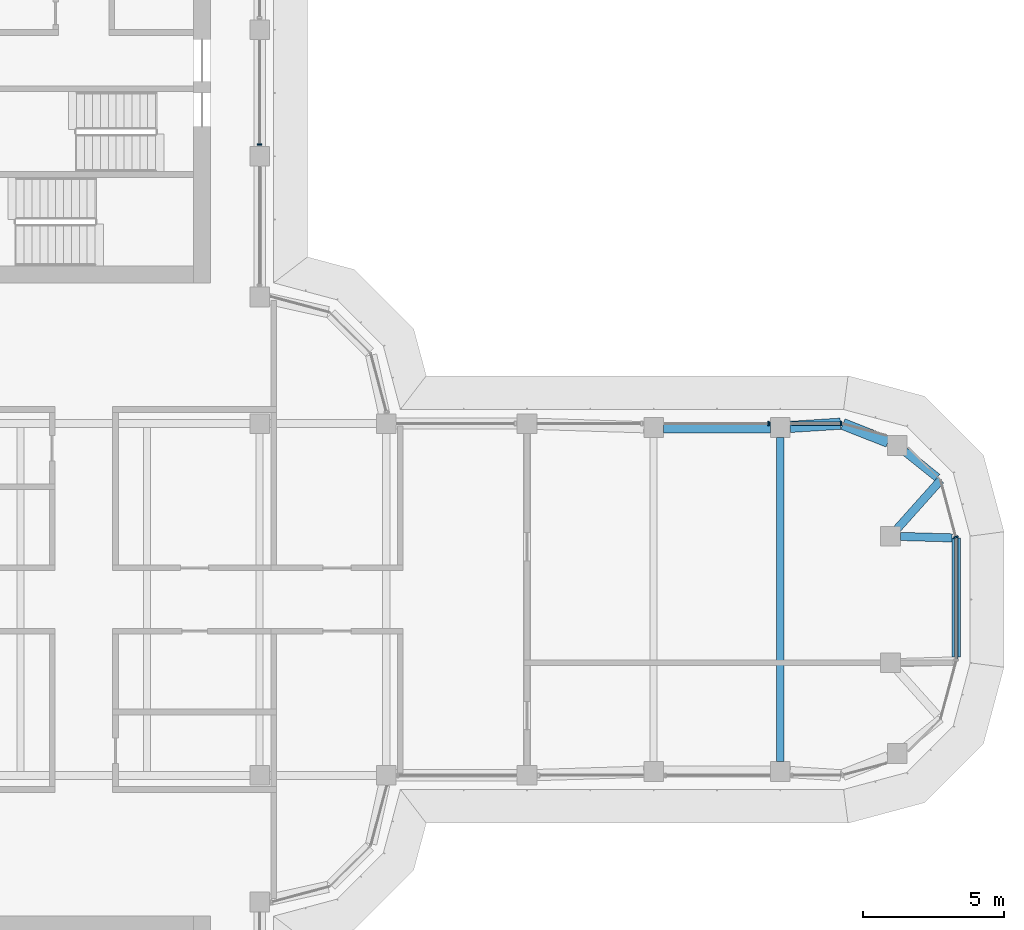
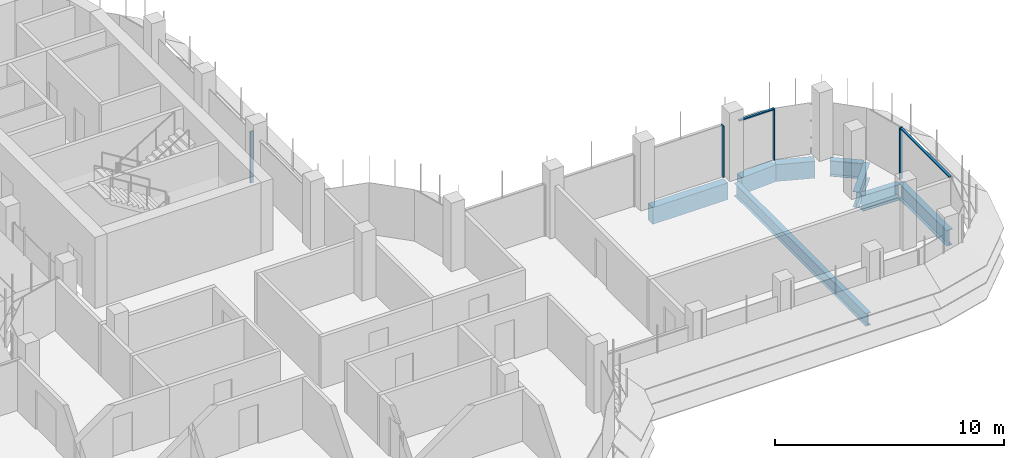
# One storey, part 9 of 19: 8 beams, 6 members, 4 elements without a shape of their own.
"""IFC4 building model written with IfcOpenShell, lengths in metres."""

from ifc_helpers import new_model, si_unit, direction, frame, origin, origin_2d, place, context, subcontext, project, spatial, polyline, rectangle, i_section, outline, extrude, source, transform, mapped, material, material_profile, profile_set, type_object, element, aggregate, save


model = new_model("IFC4")

# Units and contexts
model_context = context("Model", 3, precision=1e-05, world=origin(), true_north=direction((0.0, 1.0)))
body_context = subcontext(model_context, "Body", "Model", "MODEL_VIEW")
ifc_project = project(units=[si_unit("LENGTHUNIT", "METRE"), si_unit("AREAUNIT", "SQUARE_METRE"), si_unit("VOLUMEUNIT", "CUBIC_METRE"), si_unit("PLANEANGLEUNIT", "RADIAN"), si_unit("MASSUNIT", "GRAM", prefix="KILO")], contexts=[model_context])

# Site, building, storey
site_placement = place(None, origin())
site = spatial("IfcSite", under=ifc_project, at=site_placement, CompositionType="ELEMENT")
building_placement = place(site_placement, origin())
building = spatial("IfcBuilding", under=site, at=building_placement, Name="Zarbagh Exchange Tower", CompositionType="ELEMENT")
storey_placement = place(building_placement, frame((0.0, 0.0, 229.60009765625)))
storey = spatial("IfcBuildingStorey", under=building, at=storey_placement, Name="L56", CompositionType="ELEMENT", Elevation=229.60009765625)

# Beams
ifc_material_1 = material(Name="Steel ASTM A992 Gr 50", Category="steel")
ifc_material_profile_1 = material_profile(ifc_material_1, i_section(OverallWidth=0.25390625, OverallDepth=0.67822265625, WebThickness=0.01171875, FlangeThickness=0.016357421875, at=origin_2d()), Name="W27X84")
ifc_profile_set_1 = profile_set([ifc_material_profile_1], Name="Steel ASTM A992 Gr 50")
beam_type_1 = type_object("IfcBeamType", Name="Floor beam W27X84", PredefinedType="BEAM", material=ifc_profile_set_1)
beam_1_placement = place(storey_placement, frame((24.75, -5.760009765625, -0.4892578125), z_axis=(0.0, 1.0, 0.0), x_axis=(-1.0, 0.0, 0.0)))
element("IfcBeam", 1, at=beam_1_placement, inside=storey, type_object=beam_type_1, Name="Steel floor beam", PredefinedType="BEAM", context=body_context, shape_type="SweptSolid", body=[
    extrude(i_section(OverallWidth=0.25390625, OverallDepth=0.67822265625, WebThickness=0.01171875, FlangeThickness=0.016357421875, at=origin_2d()), origin(), (0.0, 0.0, 1.0), 11.52001953125),
])
ifc_material_profile_2 = material_profile(ifc_material_1, i_section(OverallWidth=0.2919921875, OverallDepth=0.835693359375, WebThickness=0.013916015625, FlangeThickness=0.018798828125, at=origin_2d()), Name="W33X118")
ifc_profile_set_2 = profile_set([ifc_material_profile_2], Name="Steel ASTM A992 Gr 50")
beam_type_2 = type_object("IfcBeamType", Name="Floor girder W33X118", PredefinedType="BEAM", material=ifc_profile_set_2)
beam_2_placement = place(storey_placement, frame((29.18115234375, 5.256103515625, -0.56787109375), z_axis=(0.780625690962, -0.624998824487, 0.0), x_axis=(0.624998824487, 0.780625690962, 0.0)))
element("IfcBeam", 2, at=beam_2_placement, inside=storey, type_object=beam_type_2, Name="Steel girder", PredefinedType="BEAM", context=body_context, shape_type="SweptSolid", body=[
    extrude(i_section(OverallWidth=0.2919921875, OverallDepth=0.835693359375, WebThickness=0.013916015625, FlangeThickness=0.018798828125, at=origin_2d()), origin(), (0.0, 0.0, 1.0), 1.469970703125),
])
beam_3_placement = place(storey_placement, frame((30.44873046875, 4.2412109375, -0.56787109375), z_axis=(-0.66615169279, -0.745816279115, 0.0), x_axis=(0.745816279115, -0.66615169279, 0.0)))
element("IfcBeam", 3, at=beam_3_placement, inside=storey, type_object=beam_type_2, Name="Steel girder", PredefinedType="BEAM", context=body_context, shape_type="SweptSolid", body=[
    extrude(i_section(OverallWidth=0.2919921875, OverallDepth=0.835693359375, WebThickness=0.013916015625, FlangeThickness=0.018798828125, at=origin_2d()), origin(), (0.0, 0.0, 1.0), 2.31982421875),
])
beam_4_placement = place(storey_placement, frame((29.02001953125, 2.239990234375, -0.56787109375), z_axis=(0.999603805015, -0.028146633904, 0.0), x_axis=(0.028146633904, 0.999603805015, 0.0)))
element("IfcBeam", 4, at=beam_4_placement, inside=storey, type_object=beam_type_2, Name="Steel girder", PredefinedType="BEAM", context=body_context, shape_type="SweptSolid", body=[
    extrude(i_section(OverallWidth=0.2919921875, OverallDepth=0.835693359375, WebThickness=0.013916015625, FlangeThickness=0.018798828125, at=origin_2d()), origin(), (0.0, 0.0, 1.0), 1.8388671875),
])
beam_5_placement = place(storey_placement, frame((31.0, 2.18408203125, -0.56787109375), z_axis=(0.0, -1.0, 0.0), x_axis=(1.0, 0.0, 0.0)))
element("IfcBeam", 5, at=beam_5_placement, inside=storey, type_object=beam_type_2, Name="Steel girder", PredefinedType="BEAM", context=body_context, shape_type="SweptSolid", body=[
    extrude(i_section(OverallWidth=0.2919921875, OverallDepth=0.835693359375, WebThickness=0.013916015625, FlangeThickness=0.018798828125, at=origin_2d()), origin(), (0.0, 0.0, 1.0), 4.226318359375),
])
ifc_material_2 = material(Name="Concrete C50/60", Category="concrete")
ifc_material_profile_3 = material_profile(ifc_material_2, rectangle(XDim=0.39990234375, YDim=0.89990234375, at=origin_2d()), Name="RC spandrel beam 400 x 900 C50/60")
ifc_profile_set_3 = profile_set([ifc_material_profile_3], Name="Concrete C50/60")
beam_type_3 = type_object("IfcBeamType", Name="RC spandrel beam 400 x 900 C50/60", PredefinedType="SPANDREL", material=ifc_profile_set_3)
beam_6_placement = place(storey_placement, frame((20.60009765625, 6.110107421875, -0.60009765625), z_axis=(1.0, 0.0, 0.0), x_axis=(0.0, 1.0, 0.0)))
element("IfcBeam", 6, at=beam_6_placement, inside=storey, type_object=beam_type_3, Name="RC spandrel beam", PredefinedType="SPANDREL", context=body_context, shape_type="SweptSolid", body=[
    extrude(rectangle(XDim=0.39990234375, YDim=0.89990234375, at=origin_2d()), origin(), (0.0, 0.0, 1.0), 3.7998046875),
])
beam_7_placement = place(storey_placement, frame((25.099365234375, 6.13232421875, -0.60009765625), z_axis=(0.997943601797, 0.064098109429, 0.0), x_axis=(-0.064098109429, 0.997943601797, 0.0)))
element("IfcBeam", 7, at=beam_7_placement, inside=storey, type_object=beam_type_3, Name="RC spandrel beam", PredefinedType="SPANDREL", context=body_context, shape_type="SweptSolid", body=[
    extrude(rectangle(XDim=0.39990234375, YDim=0.89990234375, at=origin_2d()), origin(), (0.0, 0.0, 1.0), 1.7939453125),
])
beam_8_placement = place(storey_placement, frame((26.9755859375, 6.233642578125, -0.60009765625), z_axis=(0.930818525178, -0.365481700207, 0.0), x_axis=(0.365481700207, 0.930818525178, 0.0)))
element("IfcBeam", 8, at=beam_8_placement, inside=storey, type_object=beam_type_3, Name="RC spandrel beam", PredefinedType="SPANDREL", context=body_context, shape_type="SweptSolid", body=[
    extrude(rectangle(XDim=0.39990234375, YDim=0.89990234375, at=origin_2d()), origin(), (0.0, 0.0, 1.0), 1.72607421875),
])

# Curtain wall, member
ifc_material_3 = material(Name="Anodised aluminium frame and glazing", Category="aluminium")
curtain_wall_type = type_object("IfcCurtainWallType", Name="CWB Ribbon glazing, upper zones", PredefinedType="NOTDEFINED", material=ifc_material_3)
curtain_wall_1_placement = place(storey_placement, origin())
curtain_wall_1 = element("IfcCurtainWall", 9, at=curtain_wall_1_placement, inside=storey, type_object=curtain_wall_type, Name="CWB13 curtain wall", PredefinedType="NOTDEFINED")
ifc_material_4 = material(Name="Anodised aluminium frame", Category="aluminium")
member_type_1 = type_object("IfcMemberType", Name="MUB Mullion, anodised aluminium frame", PredefinedType="MULLION", material=ifc_material_4)
shared_shape_1 = source(origin(), body_context, "Body", "SweptSolid", [
    extrude(outline(polyline([(0.0, -0.080078125), (0.06005859375, -0.080078125), (0.06005859375, 0.080078125), (0.0, 0.080078125), (0.0, -0.080078125)])), origin(), (0.0, 0.0, 1.0), 2.75),
])
placement = place(storey_placement, origin())
member_1 = element("IfcMember", 10, at=placement, type_object=member_type_1, Name="CWB13 mullion 1.1", PredefinedType="MULLION", context=body_context, shape_type="MappedRepresentation", body=[
    mapped(shared_shape_1, transform((31.0, 2.18408203125, 0.0), x_axis=(-0.258824779902, 0.965924289636, 0.0), y_axis=(-0.965924289636, -0.258824779902, 0.0), z_axis=(0.0, 0.0, 1.0))),
])
aggregate(curtain_wall_1, [member_1])

# Curtain wall, members
curtain_wall_2_placement = place(storey_placement, origin())
curtain_wall_2 = element("IfcCurtainWall", 11, at=curtain_wall_2_placement, inside=storey, type_object=curtain_wall_type, Name="CWB16 curtain wall", PredefinedType="NOTDEFINED")
member_2 = element("IfcMember", 12, at=placement, type_object=member_type_1, Name="CWB16 mullion 1.1", PredefinedType="MULLION", context=body_context, shape_type="MappedRepresentation", body=[
    mapped(shared_shape_1, transform((26.93408203125, 6.25, 0.0), x_axis=(-1.0, 0.0, 0.0), y_axis=(0.0, -1.0, 0.0), z_axis=(0.0, 0.0, 1.0))),
])
member_3 = element("IfcMember", 13, at=placement, type_object=member_type_1, Name="CWB16 mullion 2.1", PredefinedType="MULLION", context=body_context, shape_type="MappedRepresentation", body=[
    mapped(shared_shape_1, transform((24.35986328125, 6.25, 0.0), x_axis=(-1.0, 0.0, 0.0), y_axis=(0.0, -1.0, 0.0), z_axis=(0.0, 0.0, 1.0))),
])

# Curtain wall, member
curtain_wall_3_placement = place(storey_placement, origin())
curtain_wall_3 = element("IfcCurtainWall", 14, at=curtain_wall_3_placement, inside=storey, type_object=curtain_wall_type, Name="CWB67 curtain wall", PredefinedType="NOTDEFINED")
member_4 = element("IfcMember", 15, at=placement, type_object=member_type_1, Name="CWB67 mullion 2.1", PredefinedType="MULLION", context=body_context, shape_type="MappedRepresentation", body=[
    mapped(shared_shape_1, transform((6.25, 16.14013671875, 0.0), x_axis=(0.0, 1.0, 0.0), y_axis=(-1.0, 0.0, 0.0), z_axis=(0.0, 0.0, 1.0))),
])
aggregate(curtain_wall_3, [member_4])

# Member
member_type_2 = type_object("IfcMemberType", Name="TRB Transom, anodised aluminium frame", PredefinedType="USERDEFINED", material=ifc_material_4)
shared_shape_2 = source(origin(), body_context, "Body", "SweptSolid", [
    extrude(outline(polyline([(-0.06005859375, -0.06005859375), (0.0, -0.06005859375), (0.0, 0.06005859375), (-0.06005859375, 0.06005859375), (-0.06005859375, -0.06005859375)])), origin(), (0.0, 0.0, 1.0), 1.734130859375),
])
member_5 = element("IfcMember", 16, at=placement, type_object=member_type_2, Name="CWB16 transom 1.1", ObjectType="TRANSOM", PredefinedType="USERDEFINED", context=body_context, shape_type="MappedRepresentation", body=[
    mapped(shared_shape_2, transform((26.874267578125, 6.25, 2.75), x_axis=(0.0, 0.0, 1.0), y_axis=(0.0, 1.0, 0.0), z_axis=(-1.0, 0.0, 0.0))),
])

aggregate(curtain_wall_2, [member_2, member_5, member_3])

# Curtain wall, member
curtain_wall_4_placement = place(storey_placement, origin())
curtain_wall_4 = element("IfcCurtainWall", 17, at=curtain_wall_4_placement, inside=storey, type_object=curtain_wall_type, Name="CWB12 curtain wall", PredefinedType="NOTDEFINED")
shared_shape_3 = source(origin(), body_context, "Body", "SweptSolid", [
    extrude(outline(polyline([(-0.06005859375, -0.06005859375), (0.0, -0.06005859375), (0.0, 0.06005859375), (-0.06005859375, 0.06005859375), (-0.06005859375, -0.06005859375)])), origin(), (0.0, 0.0, 1.0), 4.308349609375),
])
member_6 = element("IfcMember", 18, at=placement, type_object=member_type_2, Name="CWB12 transom 1.1", ObjectType="TRANSOM", PredefinedType="USERDEFINED", context=body_context, shape_type="MappedRepresentation", body=[
    mapped(shared_shape_3, transform((31.0, -2.124267578125, 2.75), x_axis=(0.0, 0.0, 1.0), y_axis=(1.0, 0.0, 0.0), z_axis=(0.0, 1.0, 0.0))),
])
aggregate(curtain_wall_4, [member_6])

save(model, "model.ifc")
